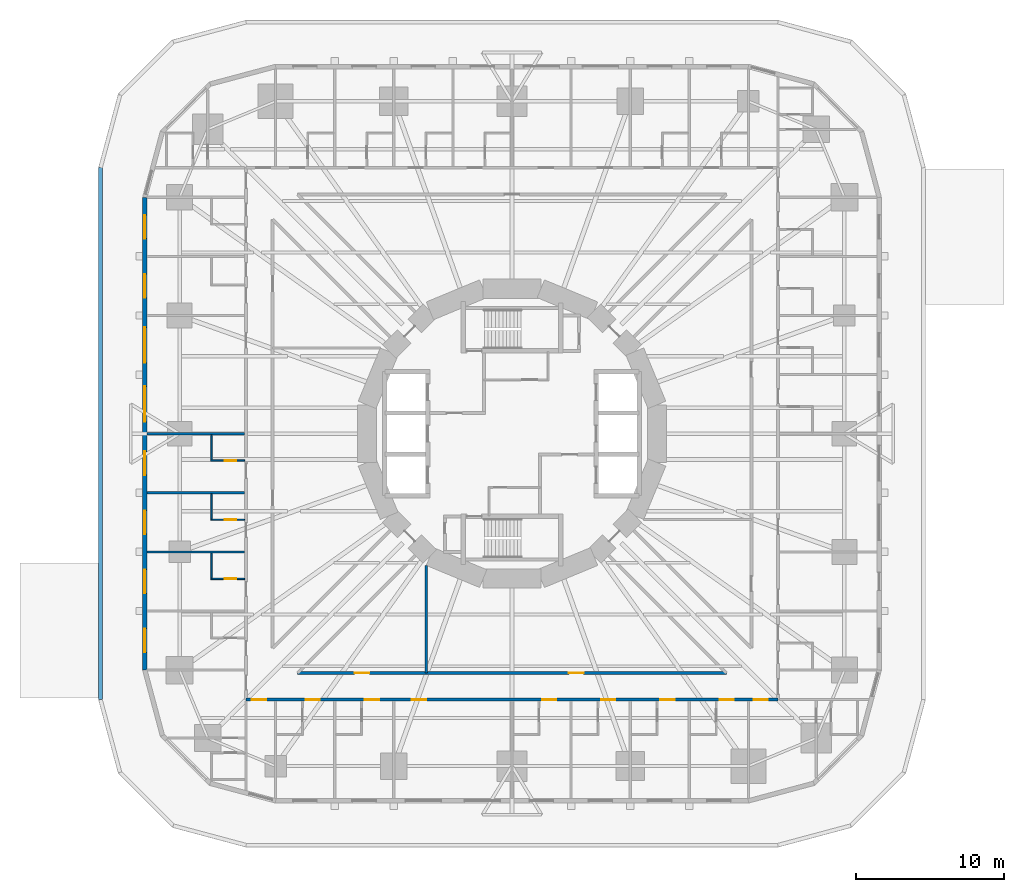
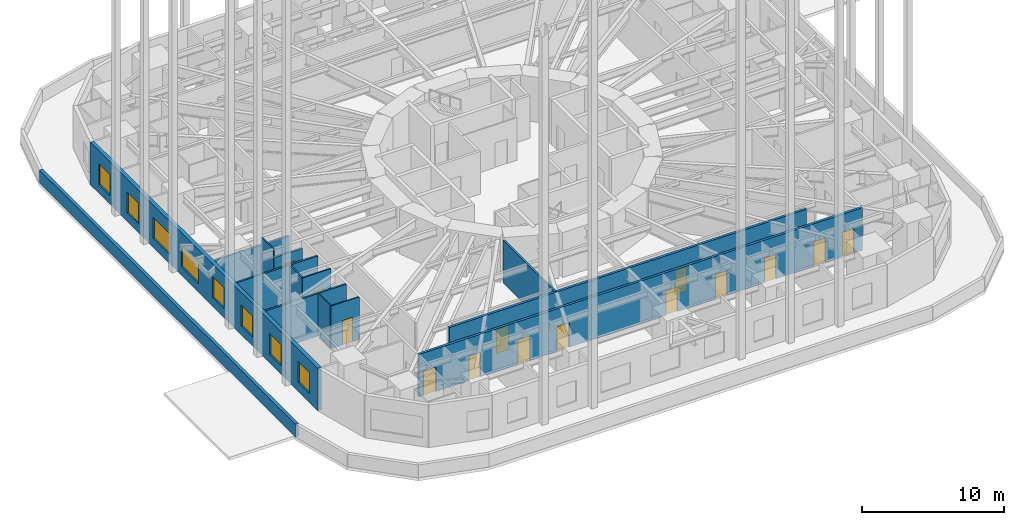
# One storey, part 5 of 13: 14 doors, 14 walls, 8 windows, 22 openings.
"""IFC4 building model written with IfcOpenShell, lengths in metres."""

from ifc_helpers import new_model, si_unit, direction, frame, frame_2d, origin, place, context, subcontext, project, spatial, rectangle, extrude, material, layer, layer_set, type_object, element, fill, save


model = new_model("IFC4")

# Units and contexts
model_context = context("Model", 3, precision=1e-05, world=origin(), true_north=direction((0.0, 1.0)))
body_context = subcontext(model_context, "Body", "Model", "MODEL_VIEW")
ifc_project = project(units=[si_unit("LENGTHUNIT", "METRE"), si_unit("AREAUNIT", "SQUARE_METRE"), si_unit("VOLUMEUNIT", "CUBIC_METRE"), si_unit("PLANEANGLEUNIT", "RADIAN"), si_unit("MASSUNIT", "GRAM", prefix="KILO")], contexts=[model_context])

# Site, building, storey
site_placement = place(None, origin())
site = spatial("IfcSite", under=ifc_project, at=site_placement, CompositionType="ELEMENT")
building_placement = place(site_placement, origin())
building = spatial("IfcBuilding", under=site, at=building_placement, Name="Nakasero Lantern House", CompositionType="ELEMENT")
storey_placement = place(building_placement, frame((0.0, 0.0, 16.0)))
storey = spatial("IfcBuildingStorey", under=building, at=storey_placement, Name="L03", CompositionType="ELEMENT", Elevation=16.0)

# Wall, openings, doors
ifc_material_1 = material(Name="Blockwork", Category="masonry")
ifc_layer_1 = layer(ifc_material_1, 0.199951171875)
ifc_layer_set_1 = layer_set([ifc_layer_1], Name="Corridor wall 200")
wall_type_1 = type_object("IfcWallType", Name="Corridor wall 200", PredefinedType="PARTITIONING", material=ifc_layer_set_1)
wall_1_placement = place(storey_placement, frame((-18.0, -18.0, 0.0), z_axis=(0.0, 0.0, 1.0), x_axis=(1.0, 0.0, 0.0)))
wall_1 = element("IfcWall", 1, at=wall_1_placement, inside=storey, type_object=wall_type_1, Name="Corridor wall L03 CW3", PredefinedType="PARTITIONING", context=body_context, shape_type="SweptSolid", body=[
    extrude(rectangle(XDim=36.0, YDim=0.199951171875, at=frame_2d((18.0, 0.0))), origin(), (0.0, 0.0, 1.0), 3.64990234375),
])
opening_1_placement = place(wall_1_placement, frame((0.375, 0.0, 0.0)))
opening_1 = element("IfcOpeningElement", 2, at=opening_1_placement, cuts=wall_1, Name="Opening D07", PredefinedType="OPENING", context=body_context, shape_type="SweptSolid", body=[
    extrude(rectangle(XDim=1.0, YDim=2.10009765625, at=frame_2d((0.5, 1.050048828125))), frame((0.0, 0.119873046875, 0.0), z_axis=(0.0, -1.0, 0.0), x_axis=(1.0, 0.0, 0.0)), (0.0, 0.0, 1.0), 0.239990234375),
])
opening_2_placement = place(wall_1_placement, frame((4.050048828125, 0.0, 0.0)))
opening_2 = element("IfcOpeningElement", 3, at=opening_2_placement, cuts=wall_1, Name="Opening D01", PredefinedType="OPENING", context=body_context, shape_type="SweptSolid", body=[
    extrude(rectangle(XDim=0.949951171875, YDim=2.10009765625, at=frame_2d((0.47509765625, 1.050048828125))), frame((0.0, 0.119873046875, 0.0), z_axis=(0.0, -1.0, 0.0), x_axis=(1.0, 0.0, 0.0)), (0.0, 0.0, 1.0), 0.239990234375),
])
opening_3_placement = place(wall_1_placement, frame((8.050048828125, 0.0, 0.0)))
opening_3 = element("IfcOpeningElement", 4, at=opening_3_placement, cuts=wall_1, Name="Opening D01", PredefinedType="OPENING", context=body_context, shape_type="SweptSolid", body=[
    extrude(rectangle(XDim=0.949951171875, YDim=2.10009765625, at=frame_2d((0.47509765625, 1.050048828125))), frame((0.0, 0.119873046875, 0.0), z_axis=(0.0, -1.0, 0.0), x_axis=(1.0, 0.0, 0.0)), (0.0, 0.0, 1.0), 0.239990234375),
])
opening_4_placement = place(wall_1_placement, frame((20.050048828125, 0.0, 0.0)))
opening_4 = element("IfcOpeningElement", 5, at=opening_4_placement, cuts=wall_1, Name="Opening D01", PredefinedType="OPENING", context=body_context, shape_type="SweptSolid", body=[
    extrude(rectangle(XDim=0.949951171875, YDim=2.10009765625, at=frame_2d((0.47509765625, 1.050048828125))), frame((0.0, 0.119873046875, 0.0), z_axis=(0.0, -1.0, 0.0), x_axis=(1.0, 0.0, 0.0)), (0.0, 0.0, 1.0), 0.239990234375),
])
opening_5_placement = place(wall_1_placement, frame((24.050048828125, 0.0, 0.0)))
opening_5 = element("IfcOpeningElement", 6, at=opening_5_placement, cuts=wall_1, Name="Opening D01", PredefinedType="OPENING", context=body_context, shape_type="SweptSolid", body=[
    extrude(rectangle(XDim=0.949951171875, YDim=2.10009765625, at=frame_2d((0.47509765625, 1.050048828125))), frame((0.0, 0.119873046875, 0.0), z_axis=(0.0, -1.0, 0.0), x_axis=(1.0, 0.0, 0.0)), (0.0, 0.0, 1.0), 0.239990234375),
])
opening_6_placement = place(wall_1_placement, frame((28.050048828125, 0.0, 0.0)))
opening_6 = element("IfcOpeningElement", 7, at=opening_6_placement, cuts=wall_1, Name="Opening D01", PredefinedType="OPENING", context=body_context, shape_type="SweptSolid", body=[
    extrude(rectangle(XDim=0.949951171875, YDim=2.10009765625, at=frame_2d((0.47509765625, 1.050048828125))), frame((0.0, 0.119873046875, 0.0), z_axis=(0.0, -1.0, 0.0), x_axis=(1.0, 0.0, 0.0)), (0.0, 0.0, 1.0), 0.239990234375),
])
opening_7_placement = place(wall_1_placement, frame((32.050048828125, 0.0, 0.0)))
opening_7 = element("IfcOpeningElement", 8, at=opening_7_placement, cuts=wall_1, Name="Opening D01", PredefinedType="OPENING", context=body_context, shape_type="SweptSolid", body=[
    extrude(rectangle(XDim=0.949951171875, YDim=2.10009765625, at=frame_2d((0.47509765625, 1.050048828125))), frame((0.0, 0.119873046875, 0.0), z_axis=(0.0, -1.0, 0.0), x_axis=(1.0, 0.0, 0.0)), (0.0, 0.0, 1.0), 0.239990234375),
])
opening_8_placement = place(wall_1_placement, frame((34.375, 0.0, 0.0)))
opening_8 = element("IfcOpeningElement", 9, at=opening_8_placement, cuts=wall_1, Name="Opening D01", PredefinedType="OPENING", context=body_context, shape_type="SweptSolid", body=[
    extrude(rectangle(XDim=0.949951171875, YDim=2.10009765625, at=frame_2d((0.47509765625, 1.050048828125))), frame((0.0, 0.119873046875, 0.0), z_axis=(0.0, -1.0, 0.0), x_axis=(1.0, 0.0, 0.0)), (0.0, 0.0, 1.0), 0.239990234375),
])
opening_9_placement = place(wall_1_placement, frame((11.199951171875, 0.0, 0.0)))
opening_9 = element("IfcOpeningElement", 10, at=opening_9_placement, cuts=wall_1, Name="Opening D03", PredefinedType="OPENING", context=body_context, shape_type="SweptSolid", body=[
    extrude(rectangle(XDim=1.0, YDim=2.10009765625, at=frame_2d((0.5, 1.050048828125))), frame((0.0, 0.119873046875, 0.0), z_axis=(0.0, -1.0, 0.0), x_axis=(1.0, 0.0, 0.0)), (0.0, 0.0, 1.0), 0.239990234375),
])
ifc_material_2 = material(Name="Timber C24", Category="wood")
door_type_1 = type_object("IfcDoorType", Name="Bedroom door FD30S 950", OperationType="SINGLE_SWING_LEFT", PredefinedType="DOOR", material=ifc_material_2)
door_1_placement = place(opening_2_placement, origin())
door_1 = element("IfcDoor", 11, at=door_1_placement, inside=storey, type_object=door_type_1, Name="Door L03 D3-01", OperationType="SINGLE_SWING_LEFT", OverallHeight=2.10009765625, OverallWidth=0.949951171875, PredefinedType="DOOR", context=body_context, shape_type="SweptSolid", body=[
    extrude(rectangle(XDim=0.949951171875, YDim=2.10009765625, at=frame_2d((0.47509765625, 1.050048828125))), frame((0.0, 0.02490234375, 0.0), z_axis=(0.0, -1.0, 0.0), x_axis=(1.0, 0.0, 0.0)), (0.0, 0.0, 1.0), 0.050048828125),
])
fill(opening_2, door_1)
door_2_placement = place(opening_3_placement, origin())
door_2 = element("IfcDoor", 12, at=door_2_placement, inside=storey, type_object=door_type_1, Name="Door L03 D3-02", OperationType="SINGLE_SWING_LEFT", OverallHeight=2.10009765625, OverallWidth=0.949951171875, PredefinedType="DOOR", context=body_context, shape_type="SweptSolid", body=[
    extrude(rectangle(XDim=0.949951171875, YDim=2.10009765625, at=frame_2d((0.47509765625, 1.050048828125))), frame((0.0, 0.02490234375, 0.0), z_axis=(0.0, -1.0, 0.0), x_axis=(1.0, 0.0, 0.0)), (0.0, 0.0, 1.0), 0.050048828125),
])
fill(opening_3, door_2)
door_3_placement = place(opening_4_placement, origin())
door_3 = element("IfcDoor", 13, at=door_3_placement, inside=storey, type_object=door_type_1, Name="Door L03 D3-05", OperationType="SINGLE_SWING_RIGHT", OverallHeight=2.10009765625, OverallWidth=0.949951171875, PredefinedType="DOOR", context=body_context, shape_type="SweptSolid", body=[
    extrude(rectangle(XDim=0.949951171875, YDim=2.10009765625, at=frame_2d((0.47509765625, 1.050048828125))), frame((0.0, 0.02490234375, 0.0), z_axis=(0.0, -1.0, 0.0), x_axis=(1.0, 0.0, 0.0)), (0.0, 0.0, 1.0), 0.050048828125),
])
fill(opening_4, door_3)
door_4_placement = place(opening_5_placement, origin())
door_4 = element("IfcDoor", 14, at=door_4_placement, inside=storey, type_object=door_type_1, Name="Door L03 D3-06", OperationType="SINGLE_SWING_RIGHT", OverallHeight=2.10009765625, OverallWidth=0.949951171875, PredefinedType="DOOR", context=body_context, shape_type="SweptSolid", body=[
    extrude(rectangle(XDim=0.949951171875, YDim=2.10009765625, at=frame_2d((0.47509765625, 1.050048828125))), frame((0.0, 0.02490234375, 0.0), z_axis=(0.0, -1.0, 0.0), x_axis=(1.0, 0.0, 0.0)), (0.0, 0.0, 1.0), 0.050048828125),
])
fill(opening_5, door_4)
door_5_placement = place(opening_6_placement, origin())
door_5 = element("IfcDoor", 15, at=door_5_placement, inside=storey, type_object=door_type_1, Name="Door L03 D3-07", OperationType="SINGLE_SWING_RIGHT", OverallHeight=2.10009765625, OverallWidth=0.949951171875, PredefinedType="DOOR", context=body_context, shape_type="SweptSolid", body=[
    extrude(rectangle(XDim=0.949951171875, YDim=2.10009765625, at=frame_2d((0.47509765625, 1.050048828125))), frame((0.0, 0.02490234375, 0.0), z_axis=(0.0, -1.0, 0.0), x_axis=(1.0, 0.0, 0.0)), (0.0, 0.0, 1.0), 0.050048828125),
])
fill(opening_6, door_5)
door_6_placement = place(opening_7_placement, origin())
door_6 = element("IfcDoor", 16, at=door_6_placement, inside=storey, type_object=door_type_1, Name="Door L03 D3-08", OperationType="SINGLE_SWING_RIGHT", OverallHeight=2.10009765625, OverallWidth=0.949951171875, PredefinedType="DOOR", context=body_context, shape_type="SweptSolid", body=[
    extrude(rectangle(XDim=0.949951171875, YDim=2.10009765625, at=frame_2d((0.47509765625, 1.050048828125))), frame((0.0, 0.02490234375, 0.0), z_axis=(0.0, -1.0, 0.0), x_axis=(1.0, 0.0, 0.0)), (0.0, 0.0, 1.0), 0.050048828125),
])
fill(opening_7, door_6)
door_7_placement = place(opening_8_placement, origin())
door_7 = element("IfcDoor", 17, at=door_7_placement, inside=storey, type_object=door_type_1, Name="Door L03 D3-09", OperationType="SINGLE_SWING_RIGHT", OverallHeight=2.10009765625, OverallWidth=0.949951171875, PredefinedType="DOOR", context=body_context, shape_type="SweptSolid", body=[
    extrude(rectangle(XDim=0.949951171875, YDim=2.10009765625, at=frame_2d((0.47509765625, 1.050048828125))), frame((0.0, 0.02490234375, 0.0), z_axis=(0.0, -1.0, 0.0), x_axis=(1.0, 0.0, 0.0)), (0.0, 0.0, 1.0), 0.050048828125),
])
fill(opening_8, door_7)
ifc_material_3 = material(Name="Timber C24", Category="wood")
door_type_2 = type_object("IfcDoorType", Name="Lounge door FD30S 1000", OperationType="SINGLE_SWING_LEFT", PredefinedType="DOOR", material=ifc_material_3)
door_8_placement = place(opening_9_placement, origin())
door_8 = element("IfcDoor", 18, at=door_8_placement, inside=storey, type_object=door_type_2, Name="Door L03 DK3", OperationType="SINGLE_SWING_LEFT", OverallHeight=2.10009765625, OverallWidth=1.0, PredefinedType="DOOR", context=body_context, shape_type="SweptSolid", body=[
    extrude(rectangle(XDim=1.0, YDim=2.10009765625, at=frame_2d((0.5, 1.050048828125))), frame((0.0, 0.02490234375, 0.0), z_axis=(0.0, -1.0, 0.0), x_axis=(1.0, 0.0, 0.0)), (0.0, 0.0, 1.0), 0.050048828125),
])
fill(opening_9, door_8)
ifc_material_4 = material(Name="Timber C24", Category="wood")
door_type_3 = type_object("IfcDoorType", Name="Room door FD30S 1000", OperationType="SINGLE_SWING_LEFT", PredefinedType="DOOR", material=ifc_material_4)
door_9_placement = place(opening_1_placement, origin())
door_9 = element("IfcDoor", 19, at=door_9_placement, inside=storey, type_object=door_type_3, Name="Door L03 D3-00", OperationType="SINGLE_SWING_LEFT", OverallHeight=2.10009765625, OverallWidth=1.0, PredefinedType="DOOR", context=body_context, shape_type="SweptSolid", body=[
    extrude(rectangle(XDim=1.0, YDim=2.10009765625, at=frame_2d((0.5, 1.050048828125))), frame((0.0, 0.02490234375, 0.0), z_axis=(0.0, -1.0, 0.0), x_axis=(1.0, 0.0, 0.0)), (0.0, 0.0, 1.0), 0.050048828125),
])
fill(opening_1, door_9)

wall_2_placement = place(storey_placement, frame((-14.5029296875, -16.199951171875, 0.0), z_axis=(0.0, 0.0, 1.0), x_axis=(1.0, 0.0, 0.0)))
wall_2 = element("IfcWall", 20, at=wall_2_placement, inside=storey, type_object=wall_type_1, Name="Corridor wall L03 IW3-0", PredefinedType="PARTITIONING", context=body_context, shape_type="SweptSolid", body=[
    extrude(rectangle(XDim=29.005859375, YDim=0.199951171875, at=frame_2d((14.5029296875, 0.0))), origin(), (0.0, 0.0, 1.0), 3.64990234375),
])
opening_10_placement = place(wall_2_placement, frame((3.850830078125, 0.0, 0.0)))
opening_10 = element("IfcOpeningElement", 21, at=opening_10_placement, cuts=wall_2, Name="Opening D07", PredefinedType="OPENING", context=body_context, shape_type="SweptSolid", body=[
    extrude(rectangle(XDim=1.0, YDim=2.10009765625, at=frame_2d((0.5, 1.050048828125))), frame((0.0, 0.119873046875, 0.0), z_axis=(0.0, -1.0, 0.0), x_axis=(1.0, 0.0, 0.0)), (0.0, 0.0, 1.0), 0.239990234375),
])
opening_11_placement = place(wall_2_placement, frame((18.353759765625, 0.0, 0.0)))
opening_11 = element("IfcOpeningElement", 22, at=opening_11_placement, cuts=wall_2, Name="Opening D07", PredefinedType="OPENING", context=body_context, shape_type="SweptSolid", body=[
    extrude(rectangle(XDim=1.0, YDim=2.10009765625, at=frame_2d((0.5, 1.050048828125))), frame((0.0, 0.119873046875, 0.0), z_axis=(0.0, -1.0, 0.0), x_axis=(1.0, 0.0, 0.0)), (0.0, 0.0, 1.0), 0.239990234375),
])
door_10_placement = place(opening_10_placement, origin())
door_10 = element("IfcDoor", 23, at=door_10_placement, inside=storey, type_object=door_type_3, Name="Door L03 DI4", OperationType="SINGLE_SWING_LEFT", OverallHeight=2.10009765625, OverallWidth=1.0, PredefinedType="DOOR", context=body_context, shape_type="SweptSolid", body=[
    extrude(rectangle(XDim=1.0, YDim=2.10009765625, at=frame_2d((0.5, 1.050048828125))), frame((0.0, 0.02490234375, 0.0), z_axis=(0.0, -1.0, 0.0), x_axis=(1.0, 0.0, 0.0)), (0.0, 0.0, 1.0), 0.050048828125),
])
fill(opening_10, door_10)
door_11_placement = place(opening_11_placement, origin())
door_11 = element("IfcDoor", 24, at=door_11_placement, inside=storey, type_object=door_type_3, Name="Door L03 DI4S", OperationType="SINGLE_SWING_RIGHT", OverallHeight=2.10009765625, OverallWidth=1.0, PredefinedType="DOOR", context=body_context, shape_type="SweptSolid", body=[
    extrude(rectangle(XDim=1.0, YDim=2.10009765625, at=frame_2d((0.5, 1.050048828125))), frame((0.0, 0.02490234375, 0.0), z_axis=(0.0, -1.0, 0.0), x_axis=(1.0, 0.0, 0.0)), (0.0, 0.0, 1.0), 0.050048828125),
])
fill(opening_11, door_11)

# Wall, opening, door
ifc_material_5 = material(Name="Blockwork", Category="masonry")
ifc_layer_2 = layer(ifc_material_5, 0.10009765625)
ifc_layer_set_2 = layer_set([ifc_layer_2], Name="En-suite wall 100")
wall_type_2 = type_object("IfcWallType", Name="En-suite wall 100", PredefinedType="PARTITIONING", material=ifc_layer_set_2)
wall_3_placement = place(storey_placement, frame((-18.10009765625, -1.824951171875, 0.0), z_axis=(0.0, 0.0, 1.0), x_axis=(-1.0, 0.0, 0.0)))
wall_3 = element("IfcWall", 25, at=wall_3_placement, inside=storey, type_object=wall_type_2, Name="En-suite wall L03 ES2-05", PredefinedType="PARTITIONING", context=body_context, shape_type="SweptSolid", body=[
    extrude(rectangle(XDim=2.2998046875, YDim=0.10009765625, at=frame_2d((1.14990234375, 0.0))), origin(), (0.0, 0.0, 1.0), 2.966552734375),
])
opening_12_placement = place(wall_3_placement, frame((0.550048828125, 0.0, 0.0)))
opening_12 = element("IfcOpeningElement", 26, at=opening_12_placement, cuts=wall_3, Name="Opening D02", PredefinedType="OPENING", context=body_context, shape_type="SweptSolid", body=[
    extrude(rectangle(XDim=0.800048828125, YDim=2.10009765625, at=frame_2d((0.39990234375, 1.050048828125))), frame((0.0, 0.070068359375, 0.0), z_axis=(0.0, -1.0, 0.0), x_axis=(1.0, 0.0, 0.0)), (0.0, 0.0, 1.0), 0.14013671875),
])
ifc_material_6 = material(Name="Timber C24", Category="wood")
door_type_4 = type_object("IfcDoorType", Name="En-suite door 800", OperationType="SINGLE_SWING_RIGHT", PredefinedType="DOOR", material=ifc_material_6)
door_12_placement = place(opening_12_placement, origin())
door_12 = element("IfcDoor", 27, at=door_12_placement, inside=storey, type_object=door_type_4, Name="Door L03 DE2-05", OperationType="SINGLE_SWING_LEFT", OverallHeight=2.10009765625, OverallWidth=0.800048828125, PredefinedType="DOOR", context=body_context, shape_type="SweptSolid", body=[
    extrude(rectangle(XDim=0.800048828125, YDim=2.10009765625, at=frame_2d((0.39990234375, 1.050048828125))), frame((0.0, 0.02490234375, 0.0), z_axis=(0.0, -1.0, 0.0), x_axis=(1.0, 0.0, 0.0)), (0.0, 0.0, 1.0), 0.050048828125),
])
fill(opening_12, door_12)

# Wall
wall_4_placement = place(storey_placement, frame((-20.35009765625, -0.074951171875, 0.0), z_axis=(0.0, 0.0, 1.0), x_axis=(0.0, -1.0, 0.0)))
element("IfcWall", 28, at=wall_4_placement, inside=storey, type_object=wall_type_2, Name="En-suite wall L03 EE2-05", PredefinedType="PARTITIONING", context=body_context, shape_type="SweptSolid", body=[
    extrude(rectangle(XDim=1.699951171875, YDim=0.10009765625, at=frame_2d((0.85009765625, 0.0))), origin(), (0.0, 0.0, 1.0), 3.64990234375),
])

# Wall, opening, door
wall_5_placement = place(storey_placement, frame((-18.10009765625, -5.824951171875, 0.0), z_axis=(0.0, 0.0, 1.0), x_axis=(-1.0, 0.0, 0.0)))
wall_5 = element("IfcWall", 29, at=wall_5_placement, inside=storey, type_object=wall_type_2, Name="En-suite wall L03 ES2-06", PredefinedType="PARTITIONING", context=body_context, shape_type="SweptSolid", body=[
    extrude(rectangle(XDim=2.2998046875, YDim=0.10009765625, at=frame_2d((1.14990234375, 0.0))), origin(), (0.0, 0.0, 1.0), 3.64990234375),
])
opening_13_placement = place(wall_5_placement, frame((0.550048828125, 0.0, 0.0)))
opening_13 = element("IfcOpeningElement", 30, at=opening_13_placement, cuts=wall_5, Name="Opening D02", PredefinedType="OPENING", context=body_context, shape_type="SweptSolid", body=[
    extrude(rectangle(XDim=0.800048828125, YDim=2.10009765625, at=frame_2d((0.39990234375, 1.050048828125))), frame((0.0, 0.070068359375, 0.0), z_axis=(0.0, -1.0, 0.0), x_axis=(1.0, 0.0, 0.0)), (0.0, 0.0, 1.0), 0.14013671875),
])
door_13_placement = place(opening_13_placement, origin())
door_13 = element("IfcDoor", 31, at=door_13_placement, inside=storey, type_object=door_type_4, Name="Door L03 DE2-06", OperationType="SINGLE_SWING_LEFT", OverallHeight=2.10009765625, OverallWidth=0.800048828125, PredefinedType="DOOR", context=body_context, shape_type="SweptSolid", body=[
    extrude(rectangle(XDim=0.800048828125, YDim=2.10009765625, at=frame_2d((0.39990234375, 1.050048828125))), frame((0.0, 0.02490234375, 0.0), z_axis=(0.0, -1.0, 0.0), x_axis=(1.0, 0.0, 0.0)), (0.0, 0.0, 1.0), 0.050048828125),
])
fill(opening_13, door_13)

# Wall
wall_6_placement = place(storey_placement, frame((-20.35009765625, -4.074951171875, 0.0), z_axis=(0.0, 0.0, 1.0), x_axis=(0.0, -1.0, 0.0)))
element("IfcWall", 32, at=wall_6_placement, inside=storey, type_object=wall_type_2, Name="En-suite wall L03 EE2-06", PredefinedType="PARTITIONING", context=body_context, shape_type="SweptSolid", body=[
    extrude(rectangle(XDim=1.699951171875, YDim=0.10009765625, at=frame_2d((0.85009765625, 0.0))), origin(), (0.0, 0.0, 1.0), 3.64990234375),
])

# Wall, opening, door
wall_7_placement = place(storey_placement, frame((-18.10009765625, -9.824951171875, 0.0), z_axis=(0.0, 0.0, 1.0), x_axis=(-1.0, 0.0, 0.0)))
wall_7 = element("IfcWall", 33, at=wall_7_placement, inside=storey, type_object=wall_type_2, Name="En-suite wall L03 ES2-07", PredefinedType="PARTITIONING", context=body_context, shape_type="SweptSolid", body=[
    extrude(rectangle(XDim=2.2998046875, YDim=0.10009765625, at=frame_2d((1.14990234375, 0.0))), origin(), (0.0, 0.0, 1.0), 3.64990234375),
])
opening_14_placement = place(wall_7_placement, frame((0.550048828125, 0.0, 0.0)))
opening_14 = element("IfcOpeningElement", 34, at=opening_14_placement, cuts=wall_7, Name="Opening D02", PredefinedType="OPENING", context=body_context, shape_type="SweptSolid", body=[
    extrude(rectangle(XDim=0.800048828125, YDim=2.10009765625, at=frame_2d((0.39990234375, 1.050048828125))), frame((0.0, 0.070068359375, 0.0), z_axis=(0.0, -1.0, 0.0), x_axis=(1.0, 0.0, 0.0)), (0.0, 0.0, 1.0), 0.14013671875),
])
door_14_placement = place(opening_14_placement, origin())
door_14 = element("IfcDoor", 35, at=door_14_placement, inside=storey, type_object=door_type_4, Name="Door L03 DE2-07", OperationType="SINGLE_SWING_LEFT", OverallHeight=2.10009765625, OverallWidth=0.800048828125, PredefinedType="DOOR", context=body_context, shape_type="SweptSolid", body=[
    extrude(rectangle(XDim=0.800048828125, YDim=2.10009765625, at=frame_2d((0.39990234375, 1.050048828125))), frame((0.0, 0.02490234375, 0.0), z_axis=(0.0, -1.0, 0.0), x_axis=(1.0, 0.0, 0.0)), (0.0, 0.0, 1.0), 0.050048828125),
])
fill(opening_14, door_14)

# Wall
wall_8_placement = place(storey_placement, frame((-20.35009765625, -8.074951171875, 0.0), z_axis=(0.0, 0.0, 1.0), x_axis=(0.0, -1.0, 0.0)))
element("IfcWall", 36, at=wall_8_placement, inside=storey, type_object=wall_type_2, Name="En-suite wall L03 EE2-07", PredefinedType="PARTITIONING", context=body_context, shape_type="SweptSolid", body=[
    extrude(rectangle(XDim=1.699951171875, YDim=0.10009765625, at=frame_2d((0.85009765625, 0.0))), origin(), (0.0, 0.0, 1.0), 3.64990234375),
])

# Wall, openings, windows
ifc_material_7 = material(Name="Aluminium rainscreen on blockwork", Category="masonry")
ifc_layer_3 = layer(ifc_material_7, 0.300048828125)
ifc_layer_set_3 = layer_set([ifc_layer_3], Name="Facade wall 300")
wall_type_3 = type_object("IfcWallType", Name="Facade wall 300", PredefinedType="SOLIDWALL", material=ifc_layer_set_3)
wall_9_placement = place(storey_placement, frame((-24.85009765625, 16.0, 0.0), z_axis=(0.0, 0.0, 1.0), x_axis=(0.0, -1.0, 0.0)))
wall_9 = element("IfcWall", 37, at=wall_9_placement, inside=storey, type_object=wall_type_3, Name="Facade wall L03 FW2S", PredefinedType="SOLIDWALL", context=body_context, shape_type="SweptSolid", body=[
    extrude(rectangle(XDim=32.0, YDim=0.300048828125, at=frame_2d((16.0, 0.0))), origin(), (0.0, 0.0, 1.0), 3.64990234375),
])
opening_15_placement = place(wall_9_placement, frame((1.199951171875, 0.0, 0.75)))
opening_15 = element("IfcOpeningElement", 38, at=opening_15_placement, cuts=wall_9, Name="Opening W01", PredefinedType="OPENING", context=body_context, shape_type="SweptSolid", body=[
    extrude(rectangle(XDim=1.60009765625, YDim=1.800048828125, at=frame_2d((0.800048828125, 0.89990234375))), frame((0.0, 0.169921875, 0.0), z_axis=(0.0, -1.0, 0.0), x_axis=(1.0, 0.0, 0.0)), (0.0, 0.0, 1.0), 0.340087890625),
])
opening_16_placement = place(wall_9_placement, frame((5.199951171875, 0.0, 0.75)))
opening_16 = element("IfcOpeningElement", 39, at=opening_16_placement, cuts=wall_9, Name="Opening W01", PredefinedType="OPENING", context=body_context, shape_type="SweptSolid", body=[
    extrude(rectangle(XDim=1.60009765625, YDim=1.800048828125, at=frame_2d((0.800048828125, 0.89990234375))), frame((0.0, 0.169921875, 0.0), z_axis=(0.0, -1.0, 0.0), x_axis=(1.0, 0.0, 0.0)), (0.0, 0.0, 1.0), 0.340087890625),
])
opening_17_placement = place(wall_9_placement, frame((17.199951171875, 0.0, 0.75)))
opening_17 = element("IfcOpeningElement", 40, at=opening_17_placement, cuts=wall_9, Name="Opening W01", PredefinedType="OPENING", context=body_context, shape_type="SweptSolid", body=[
    extrude(rectangle(XDim=1.60009765625, YDim=1.800048828125, at=frame_2d((0.800048828125, 0.89990234375))), frame((0.0, 0.169921875, 0.0), z_axis=(0.0, -1.0, 0.0), x_axis=(1.0, 0.0, 0.0)), (0.0, 0.0, 1.0), 0.340087890625),
])
opening_18_placement = place(wall_9_placement, frame((21.199951171875, 0.0, 0.75)))
opening_18 = element("IfcOpeningElement", 41, at=opening_18_placement, cuts=wall_9, Name="Opening W01", PredefinedType="OPENING", context=body_context, shape_type="SweptSolid", body=[
    extrude(rectangle(XDim=1.60009765625, YDim=1.800048828125, at=frame_2d((0.800048828125, 0.89990234375))), frame((0.0, 0.169921875, 0.0), z_axis=(0.0, -1.0, 0.0), x_axis=(1.0, 0.0, 0.0)), (0.0, 0.0, 1.0), 0.340087890625),
])
opening_19_placement = place(wall_9_placement, frame((25.199951171875, 0.0, 0.75)))
opening_19 = element("IfcOpeningElement", 42, at=opening_19_placement, cuts=wall_9, Name="Opening W01", PredefinedType="OPENING", context=body_context, shape_type="SweptSolid", body=[
    extrude(rectangle(XDim=1.60009765625, YDim=1.800048828125, at=frame_2d((0.800048828125, 0.89990234375))), frame((0.0, 0.169921875, 0.0), z_axis=(0.0, -1.0, 0.0), x_axis=(1.0, 0.0, 0.0)), (0.0, 0.0, 1.0), 0.340087890625),
])
opening_20_placement = place(wall_9_placement, frame((29.199951171875, 0.0, 0.75)))
opening_20 = element("IfcOpeningElement", 43, at=opening_20_placement, cuts=wall_9, Name="Opening W01", PredefinedType="OPENING", context=body_context, shape_type="SweptSolid", body=[
    extrude(rectangle(XDim=1.60009765625, YDim=1.800048828125, at=frame_2d((0.800048828125, 0.89990234375))), frame((0.0, 0.169921875, 0.0), z_axis=(0.0, -1.0, 0.0), x_axis=(1.0, 0.0, 0.0)), (0.0, 0.0, 1.0), 0.340087890625),
])
opening_21_placement = place(wall_9_placement, frame((8.800048828125, 0.0, 0.75)))
opening_21 = element("IfcOpeningElement", 44, at=opening_21_placement, cuts=wall_9, Name="Opening W03", PredefinedType="OPENING", context=body_context, shape_type="SweptSolid", body=[
    extrude(rectangle(XDim=2.39990234375, YDim=1.800048828125, at=frame_2d((1.199951171875, 0.89990234375))), frame((0.0, 0.169921875, 0.0), z_axis=(0.0, -1.0, 0.0), x_axis=(1.0, 0.0, 0.0)), (0.0, 0.0, 1.0), 0.340087890625),
])
opening_22_placement = place(wall_9_placement, frame((12.800048828125, 0.0, 0.75)))
opening_22 = element("IfcOpeningElement", 45, at=opening_22_placement, cuts=wall_9, Name="Opening W03", PredefinedType="OPENING", context=body_context, shape_type="SweptSolid", body=[
    extrude(rectangle(XDim=2.39990234375, YDim=1.800048828125, at=frame_2d((1.199951171875, 0.89990234375))), frame((0.0, 0.169921875, 0.0), z_axis=(0.0, -1.0, 0.0), x_axis=(1.0, 0.0, 0.0)), (0.0, 0.0, 1.0), 0.340087890625),
])
ifc_material_8 = material(Name="Aluminium 6063-T6 and glass", Category="aluminium")
window_type_1 = type_object("IfcWindowType", Name="Bedroom window 1600x1800", PartitioningType="SINGLE_PANEL", PredefinedType="WINDOW", material=ifc_material_8)
window_1_placement = place(opening_15_placement, origin())
window_1 = element("IfcWindow", 46, at=window_1_placement, inside=storey, type_object=window_type_1, Name="Window L03 WN2-01", OverallHeight=1.800048828125, OverallWidth=1.60009765625, PartitioningType="SINGLE_PANEL", PredefinedType="WINDOW", context=body_context, shape_type="SweptSolid", body=[
    extrude(rectangle(XDim=1.60009765625, YDim=1.800048828125, at=frame_2d((0.800048828125, 0.89990234375))), frame((0.0, 0.030029296875, 0.0), z_axis=(0.0, -1.0, 0.0), x_axis=(1.0, 0.0, 0.0)), (0.0, 0.0, 1.0), 0.06005859375),
])
fill(opening_15, window_1)
window_2_placement = place(opening_16_placement, origin())
window_2 = element("IfcWindow", 47, at=window_2_placement, inside=storey, type_object=window_type_1, Name="Window L03 WN2-02", OverallHeight=1.800048828125, OverallWidth=1.60009765625, PartitioningType="SINGLE_PANEL", PredefinedType="WINDOW", context=body_context, shape_type="SweptSolid", body=[
    extrude(rectangle(XDim=1.60009765625, YDim=1.800048828125, at=frame_2d((0.800048828125, 0.89990234375))), frame((0.0, 0.030029296875, 0.0), z_axis=(0.0, -1.0, 0.0), x_axis=(1.0, 0.0, 0.0)), (0.0, 0.0, 1.0), 0.06005859375),
])
fill(opening_16, window_2)
window_3_placement = place(opening_17_placement, origin())
window_3 = element("IfcWindow", 48, at=window_3_placement, inside=storey, type_object=window_type_1, Name="Window L03 WN2-05", OverallHeight=1.800048828125, OverallWidth=1.60009765625, PartitioningType="SINGLE_PANEL", PredefinedType="WINDOW", context=body_context, shape_type="SweptSolid", body=[
    extrude(rectangle(XDim=1.60009765625, YDim=1.800048828125, at=frame_2d((0.800048828125, 0.89990234375))), frame((0.0, 0.030029296875, 0.0), z_axis=(0.0, -1.0, 0.0), x_axis=(1.0, 0.0, 0.0)), (0.0, 0.0, 1.0), 0.06005859375),
])
fill(opening_17, window_3)
window_4_placement = place(opening_18_placement, origin())
window_4 = element("IfcWindow", 49, at=window_4_placement, inside=storey, type_object=window_type_1, Name="Window L03 WN2-06", OverallHeight=1.800048828125, OverallWidth=1.60009765625, PartitioningType="SINGLE_PANEL", PredefinedType="WINDOW", context=body_context, shape_type="SweptSolid", body=[
    extrude(rectangle(XDim=1.60009765625, YDim=1.800048828125, at=frame_2d((0.800048828125, 0.89990234375))), frame((0.0, 0.030029296875, 0.0), z_axis=(0.0, -1.0, 0.0), x_axis=(1.0, 0.0, 0.0)), (0.0, 0.0, 1.0), 0.06005859375),
])
fill(opening_18, window_4)
window_5_placement = place(opening_19_placement, origin())
window_5 = element("IfcWindow", 50, at=window_5_placement, inside=storey, type_object=window_type_1, Name="Window L03 WN2-07", OverallHeight=1.800048828125, OverallWidth=1.60009765625, PartitioningType="SINGLE_PANEL", PredefinedType="WINDOW", context=body_context, shape_type="SweptSolid", body=[
    extrude(rectangle(XDim=1.60009765625, YDim=1.800048828125, at=frame_2d((0.800048828125, 0.89990234375))), frame((0.0, 0.030029296875, 0.0), z_axis=(0.0, -1.0, 0.0), x_axis=(1.0, 0.0, 0.0)), (0.0, 0.0, 1.0), 0.06005859375),
])
fill(opening_19, window_5)
window_6_placement = place(opening_20_placement, origin())
window_6 = element("IfcWindow", 51, at=window_6_placement, inside=storey, type_object=window_type_1, Name="Window L03 WN2-08", OverallHeight=1.800048828125, OverallWidth=1.60009765625, PartitioningType="SINGLE_PANEL", PredefinedType="WINDOW", context=body_context, shape_type="SweptSolid", body=[
    extrude(rectangle(XDim=1.60009765625, YDim=1.800048828125, at=frame_2d((0.800048828125, 0.89990234375))), frame((0.0, 0.030029296875, 0.0), z_axis=(0.0, -1.0, 0.0), x_axis=(1.0, 0.0, 0.0)), (0.0, 0.0, 1.0), 0.06005859375),
])
fill(opening_20, window_6)
ifc_material_9 = material(Name="Aluminium 6063-T6 and glass", Category="aluminium")
window_type_2 = type_object("IfcWindowType", Name="Lounge window 2400x1800", PartitioningType="SINGLE_PANEL", PredefinedType="WINDOW", material=ifc_material_9)
window_7_placement = place(opening_21_placement, origin())
window_7 = element("IfcWindow", 52, at=window_7_placement, inside=storey, type_object=window_type_2, Name="Window L03 WK2", OverallHeight=1.800048828125, OverallWidth=2.39990234375, PartitioningType="SINGLE_PANEL", PredefinedType="WINDOW", context=body_context, shape_type="SweptSolid", body=[
    extrude(rectangle(XDim=2.39990234375, YDim=1.800048828125, at=frame_2d((1.199951171875, 0.89990234375))), frame((0.0, 0.030029296875, 0.0), z_axis=(0.0, -1.0, 0.0), x_axis=(1.0, 0.0, 0.0)), (0.0, 0.0, 1.0), 0.06005859375),
])
fill(opening_21, window_7)
window_8_placement = place(opening_22_placement, origin())
window_8 = element("IfcWindow", 53, at=window_8_placement, inside=storey, type_object=window_type_2, Name="Window L03 WL2", OverallHeight=1.800048828125, OverallWidth=2.39990234375, PartitioningType="SINGLE_PANEL", PredefinedType="WINDOW", context=body_context, shape_type="SweptSolid", body=[
    extrude(rectangle(XDim=2.39990234375, YDim=1.800048828125, at=frame_2d((1.199951171875, 0.89990234375))), frame((0.0, 0.030029296875, 0.0), z_axis=(0.0, -1.0, 0.0), x_axis=(1.0, 0.0, 0.0)), (0.0, 0.0, 1.0), 0.06005859375),
])
fill(opening_22, window_8)

# Walls
ifc_material_10 = material(Name="Concrete C35/45", Category="concrete")
ifc_layer_4 = layer(ifc_material_10, 0.25)
ifc_layer_set_4 = layer_set([ifc_layer_4], Name="Parapet 250")
wall_type_4 = type_object("IfcWallType", Name="Parapet 250", PredefinedType="SOLIDWALL", material=ifc_layer_set_4)
wall_10_placement = place(storey_placement, frame((-27.85009765625, 18.0, 0.0), z_axis=(0.0, 0.0, 1.0), x_axis=(0.0, -1.0, 0.0)))
element("IfcWall", 54, at=wall_10_placement, inside=storey, type_object=wall_type_4, Name="Parapet L03 PP2S", PredefinedType="SOLIDWALL", context=body_context, shape_type="SweptSolid", body=[
    extrude(rectangle(XDim=36.0, YDim=0.25, at=frame_2d((18.0, 0.0))), origin(), (0.0, 0.0, 1.0), 1.10009765625),
])
ifc_material_11 = material(Name="Blockwork", Category="masonry")
ifc_layer_5 = layer(ifc_material_11, 0.14990234375)
ifc_layer_set_5 = layer_set([ifc_layer_5], Name="Party wall 150")
wall_type_5 = type_object("IfcWallType", Name="Party wall 150", PredefinedType="PARTITIONING", material=ifc_layer_set_5)
wall_11_placement = place(storey_placement, frame((-18.10009765625, 0.0, 0.0), z_axis=(0.0, 0.0, 1.0), x_axis=(-1.0, 0.0, 0.0)))
element("IfcWall", 55, at=wall_11_placement, inside=storey, type_object=wall_type_5, Name="Party wall L03 PW2-05", PredefinedType="PARTITIONING", context=body_context, shape_type="SweptSolid", body=[
    extrude(rectangle(XDim=6.599853515625, YDim=0.14990234375, at=frame_2d((3.2998046875, 0.0))), origin(), (0.0, 0.0, 1.0), 2.95703125),
])
for number, where, z_axis, x_axis, name in (
    (56, (-18.10009765625, -4.0, 0.0), (0.0, 0.0, 1.0), (-1.0, 0.0, 0.0), "Party wall L03 PW2-06"),
    (57, (-18.10009765625, -8.0, 0.0), (0.0, 0.0, 1.0), (-1.0, 0.0, 0.0), "Party wall L03 PW2-07"),
):
    element("IfcWall", number, at=place(storey_placement, frame(where, z_axis=z_axis, x_axis=x_axis)), inside=storey, type_object=wall_type_5, Name=name, PredefinedType="PARTITIONING", context=body_context, shape_type="SweptSolid", body=[
        extrude(rectangle(XDim=6.599853515625, YDim=0.14990234375, at=frame_2d((3.2998046875, 0.0))), origin(), (0.0, 0.0, 1.0), 3.64990234375),
    ])
wall_12_placement = place(storey_placement, frame((-5.80126953125, -8.91650390625, 0.0), z_axis=(0.0, 0.0, 1.0), x_axis=(0.0, -1.0, 0.0)))
element("IfcWall", 58, at=wall_12_placement, inside=storey, type_object=wall_type_5, Name="Party wall L03 IS4", PredefinedType="PARTITIONING", context=body_context, shape_type="SweptSolid", body=[
    extrude(rectangle(XDim=7.283447265625, YDim=0.14990234375, at=frame_2d((3.6416015625, 0.0))), origin(), (0.0, 0.0, 1.0), 3.64990234375),
])

save(model, "model.ifc")
